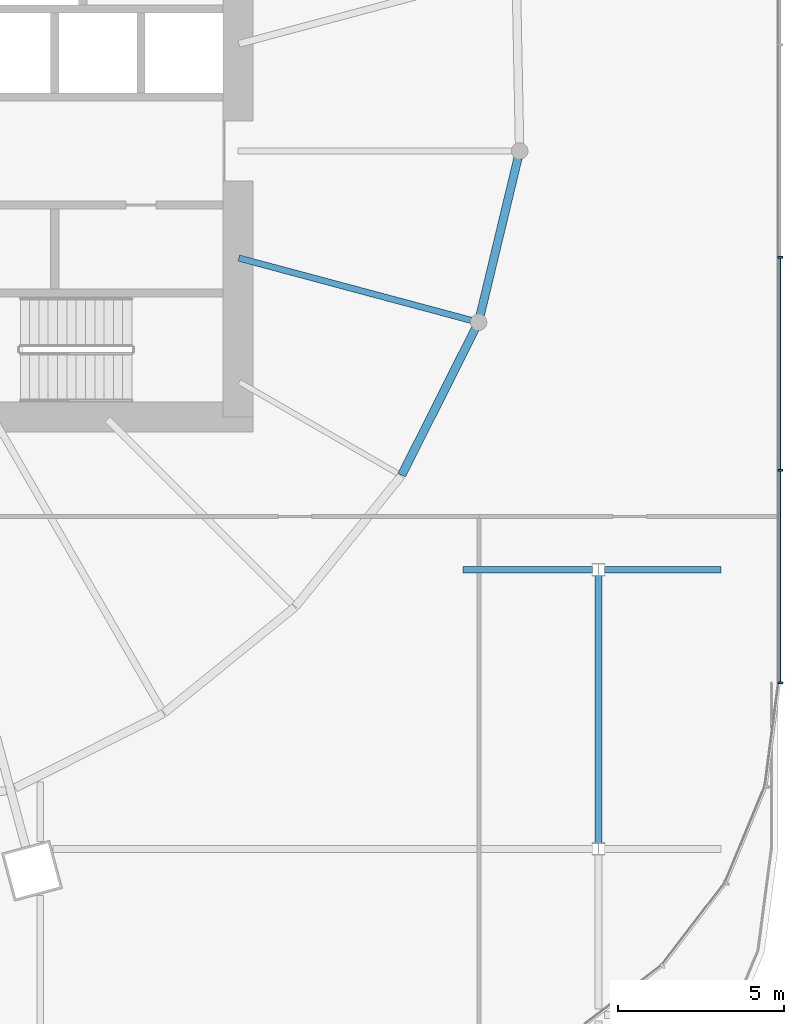
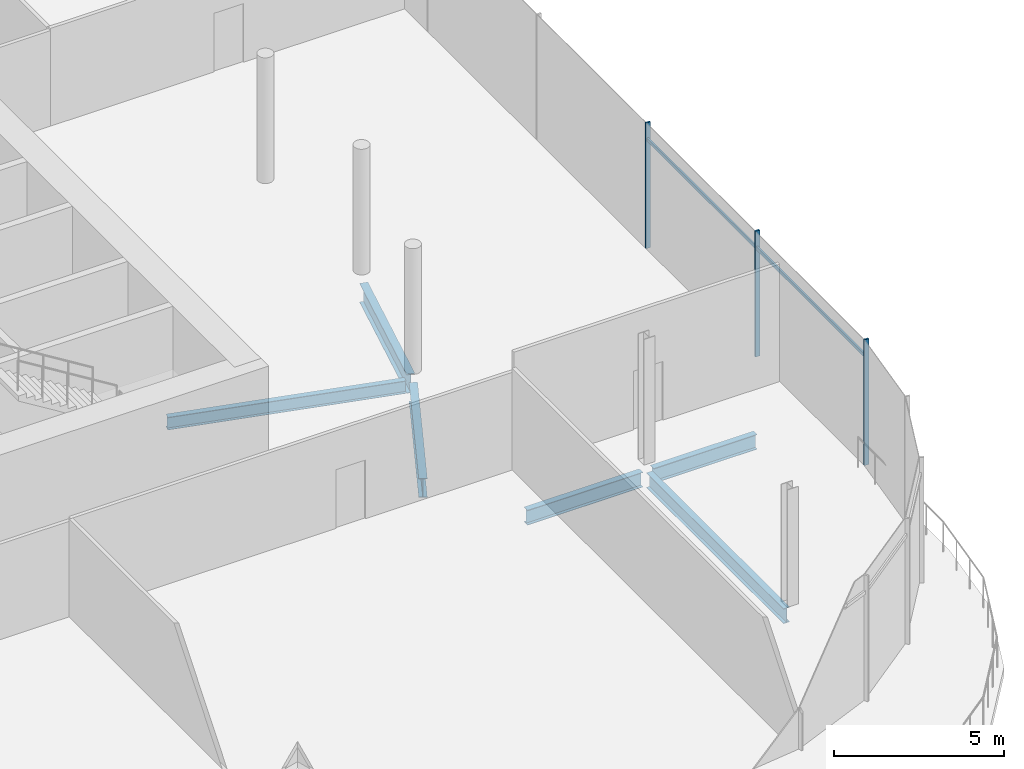
# One storey, part 25 of 52: 6 beams, 5 members, 1 element without a shape of its own.
"""IFC4 building model written with IfcOpenShell, lengths in metres."""

from ifc_helpers import new_model, si_unit, direction, frame, origin, origin_2d, place, context, subcontext, project, spatial, rectangle, i_section, extrude, material, material_profile, profile_set, type_object, element, aggregate, save


model = new_model("IFC4")

# Units and contexts
model_context = context("Model", 3, precision=1e-05, world=origin(), true_north=direction((0.0, 1.0)))
body_context = subcontext(model_context, "Body", "Model", "MODEL_VIEW")
ifc_project = project(units=[si_unit("LENGTHUNIT", "METRE"), si_unit("AREAUNIT", "SQUARE_METRE"), si_unit("VOLUMEUNIT", "CUBIC_METRE"), si_unit("PLANEANGLEUNIT", "RADIAN"), si_unit("MASSUNIT", "GRAM", prefix="KILO")], contexts=[model_context])

# Site, building, storey
site_placement = place(None, origin())
site = spatial("IfcSite", under=ifc_project, at=site_placement, CompositionType="ELEMENT")
building_placement = place(site_placement, origin())
building = spatial("IfcBuilding", under=site, at=building_placement, Name="Rimbun Link Towers", CompositionType="ELEMENT")
storey_placement = place(building_placement, frame((0.0, 0.0, 21.0)))
storey = spatial("IfcBuildingStorey", under=building, at=storey_placement, Name="L04", CompositionType="ELEMENT", Elevation=21.0)

# Curtain wall, members
ifc_material_1 = material(Name="Aluminium 6063-T6 and low-iron glass", Category="aluminium")
curtain_wall_type = type_object("IfcCurtainWallType", Name="CW3 podium shopfront", PredefinedType="NOTDEFINED", material=ifc_material_1)
curtain_wall_placement = place(storey_placement, origin())
curtain_wall = element("IfcCurtainWall", 1, at=curtain_wall_placement, inside=storey, type_object=curtain_wall_type, Name="CW3 L04 PD", PredefinedType="NOTDEFINED")
ifc_material_2 = material(Name="Aluminium 6063-T6", Category="aluminium")
ifc_material_profile_1 = material_profile(ifc_material_2, rectangle(XDim=0.14990234375, YDim=0.06005859375, at=origin_2d()), Name="MULLION 60X150")
ifc_profile_set_1 = profile_set([ifc_material_profile_1], Name="Aluminium 6063-T6")
member_type_1 = type_object("IfcMemberType", Name="CW3 mullion 60X150", PredefinedType="MULLION", material=ifc_profile_set_1)
member_1_placement = place(storey_placement, frame((60.074951171875, -16.0048828125, 0.0), z_axis=(0.0, 0.0, 1.0), x_axis=(0.997858781723, -0.065405288299, 0.0)))
member_1 = element("IfcMember", 2, at=member_1_placement, type_object=member_type_1, Name="CW3 mullion", PredefinedType="MULLION", context=body_context, shape_type="SweptSolid", body=[
    extrude(rectangle(XDim=0.14990234375, YDim=0.06005859375, at=origin_2d()), origin(), (0.0, 0.0, 1.0), 4.5),
])
member_2_placement = place(storey_placement, frame((60.074951171875, -9.60009765625, 0.0), z_axis=(0.0, 0.0, 1.0), x_axis=(1.0, 0.0, 0.0)))
member_2 = element("IfcMember", 3, at=member_2_placement, type_object=member_type_1, Name="CW3 mullion", PredefinedType="MULLION", context=body_context, shape_type="SweptSolid", body=[
    extrude(rectangle(XDim=0.14990234375, YDim=0.06005859375, at=origin_2d()), origin(), (0.0, 0.0, 1.0), 4.5),
])
member_3_placement = place(storey_placement, frame((60.074951171875, -3.199951171875, 0.0), z_axis=(0.0, 0.0, 1.0), x_axis=(1.0, 0.0, 0.0)))
member_3 = element("IfcMember", 4, at=member_3_placement, type_object=member_type_1, Name="CW3 mullion", PredefinedType="MULLION", context=body_context, shape_type="SweptSolid", body=[
    extrude(rectangle(XDim=0.14990234375, YDim=0.06005859375, at=origin_2d()), origin(), (0.0, 0.0, 1.0), 4.5),
])
ifc_material_3 = material(Name="Aluminium 6063-T6", Category="aluminium")
ifc_material_profile_2 = material_profile(ifc_material_3, rectangle(XDim=0.06005859375, YDim=0.1201171875, at=origin_2d()), Name="TRANSOM 60X120")
ifc_profile_set_2 = profile_set([ifc_material_profile_2], Name="Aluminium 6063-T6")
member_type_2 = type_object("IfcMemberType", Name="CW3 transom 60X120", PredefinedType="USERDEFINED", material=ifc_profile_set_2)
member_4_placement = place(storey_placement, frame((60.053955078125, -9.6298828125, 3.89990234375), z_axis=(0.0, -1.0, 0.0), x_axis=(1.0, 0.0, 0.0)))
member_4 = element("IfcMember", 5, at=member_4_placement, type_object=member_type_2, Name="CW3 transom", ObjectType="TRANSOM", PredefinedType="USERDEFINED", context=body_context, shape_type="SweptSolid", body=[
    extrude(rectangle(XDim=0.06005859375, YDim=0.1201171875, at=origin_2d()), origin(), (0.0, 0.0, 1.0), 6.340087890625),
])
member_5_placement = place(storey_placement, frame((60.053955078125, -3.22998046875, 3.89990234375), z_axis=(0.0, -1.0, 0.0), x_axis=(1.0, 0.0, 0.0)))
member_5 = element("IfcMember", 6, at=member_5_placement, type_object=member_type_2, Name="CW3 transom", ObjectType="TRANSOM", PredefinedType="USERDEFINED", context=body_context, shape_type="SweptSolid", body=[
    extrude(rectangle(XDim=0.06005859375, YDim=0.1201171875, at=origin_2d()), origin(), (0.0, 0.0, 1.0), 6.340087890625),
])
aggregate(curtain_wall, [member_1, member_2, member_3, member_4, member_5])

# Beams
ifc_material_4 = material(Name="Steel S355J2", Category="steel")
ifc_material_profile_3 = material_profile(ifc_material_4, i_section(OverallWidth=0.18994140625, OverallDepth=0.453369140625, WebThickness=0.008544921875, FlangeThickness=0.0126953125, at=origin_2d()), Name="UB 457x191x67")
ifc_profile_set_3 = profile_set([ifc_material_profile_3], Name="Steel S355J2")
beam_type_1 = type_object("IfcBeamType", Name="UB 457x191x67", PredefinedType="BEAM", material=ifc_profile_set_3)
beam_1_placement = place(storey_placement, frame((43.775390625, -3.22216796875, -0.526611328125), z_axis=(0.965928471546, -0.258809172667, 0.0), x_axis=(0.258809172667, 0.965928471546, 0.0)))
element("IfcBeam", 7, at=beam_1_placement, inside=storey, type_object=beam_type_1, Name="Radial beam T2 L04 20", PredefinedType="BEAM", context=body_context, shape_type="SweptSolid", body=[
    extrude(i_section(OverallWidth=0.18994140625, OverallDepth=0.453369140625, WebThickness=0.008544921875, FlangeThickness=0.0126953125, at=origin_2d()), origin(), (0.0, 0.0, 1.0), 7.2353515625),
])
ifc_material_5 = material(Name="Steel S355J2", Category="steel")
ifc_material_profile_4 = material_profile(ifc_material_5, i_section(OverallWidth=0.209228515625, OverallDepth=0.533203125, WebThickness=0.010009765625, FlangeThickness=0.015625, at=origin_2d()), Name="UB 533x210x92")
ifc_profile_set_4 = profile_set([ifc_material_profile_4], Name="Steel S355J2")
beam_type_2 = type_object("IfcBeamType", Name="UB 533x210x92", PredefinedType="BEAM", material=ifc_profile_set_4)
beam_2_placement = place(storey_placement, frame((50.5146484375, -12.60009765625, -0.56640625), z_axis=(1.0, 0.0, 0.0), x_axis=(0.0, 1.0, 0.0)))
element("IfcBeam", 8, at=beam_2_placement, inside=storey, type_object=beam_type_2, Name="Grid beam L04 -12.6", PredefinedType="BEAM", context=body_context, shape_type="SweptSolid", body=[
    extrude(i_section(OverallWidth=0.209228515625, OverallDepth=0.533203125, WebThickness=0.010009765625, FlangeThickness=0.015625, at=origin_2d()), origin(), (0.0, 0.0, 1.0), 3.900146484375),
])
beam_3_placement = place(storey_placement, frame((54.785400390625, -12.60009765625, -0.56640625), z_axis=(1.0, 0.0, 0.0), x_axis=(0.0, 1.0, 0.0)))
element("IfcBeam", 9, at=beam_3_placement, inside=storey, type_object=beam_type_2, Name="Grid beam L04 -12.6", PredefinedType="BEAM", context=body_context, shape_type="SweptSolid", body=[
    extrude(i_section(OverallWidth=0.209228515625, OverallDepth=0.533203125, WebThickness=0.010009765625, FlangeThickness=0.015625, at=origin_2d()), origin(), (0.0, 0.0, 1.0), 3.5),
])
beam_4_placement = place(storey_placement, frame((54.60009765625, -20.819091796875, -0.56640625), z_axis=(0.0, 1.0, 0.0), x_axis=(-1.0, 0.0, 0.0)))
element("IfcBeam", 10, at=beam_4_placement, inside=storey, type_object=beam_type_2, Name="Grid beam L04 +54.6", PredefinedType="BEAM", context=body_context, shape_type="SweptSolid", body=[
    extrude(i_section(OverallWidth=0.209228515625, OverallDepth=0.533203125, WebThickness=0.010009765625, FlangeThickness=0.015625, at=origin_2d()), origin(), (0.0, 0.0, 1.0), 8.0380859375),
])
ifc_material_6 = material(Name="Steel S355J2", Category="steel")
ifc_material_profile_5 = material_profile(ifc_material_6, i_section(OverallWidth=0.253662109375, OverallDepth=0.68359375, WebThickness=0.012451171875, FlangeThickness=0.01904296875, at=origin_2d()), Name="UB 686x254x140")
ifc_profile_set_5 = profile_set([ifc_material_profile_5], Name="Steel S355J2")
beam_type_3 = type_object("IfcBeamType", Name="UB 686x254x140", PredefinedType="BEAM", material=ifc_profile_set_5)
beam_5_placement = place(storey_placement, frame((48.67529296875, -9.7548828125, -0.641845703125), z_axis=(0.449213825597, 0.893424277089, 0.0), x_axis=(-0.893424277089, 0.449213825597, 0.0)))
element("IfcBeam", 11, at=beam_5_placement, inside=storey, type_object=beam_type_3, Name="Edge beam T2 L04 19", PredefinedType="BEAM", context=body_context, shape_type="SweptSolid", body=[
    extrude(i_section(OverallWidth=0.253662109375, OverallDepth=0.68359375, WebThickness=0.012451171875, FlangeThickness=0.01904296875, at=origin_2d()), origin(), (0.0, 0.0, 1.0), 4.92822265625),
])
beam_6_placement = place(storey_placement, frame((51.039794921875, -4.9404296875, -0.641845703125), z_axis=(0.23356672239, 0.972340776781, 0.0), x_axis=(-0.972340776781, 0.23356672239, 0.0)))
element("IfcBeam", 12, at=beam_6_placement, inside=storey, type_object=beam_type_3, Name="Edge beam T2 L04 20", PredefinedType="BEAM", context=body_context, shape_type="SweptSolid", body=[
    extrude(i_section(OverallWidth=0.253662109375, OverallDepth=0.68359375, WebThickness=0.012451171875, FlangeThickness=0.01904296875, at=origin_2d()), origin(), (0.0, 0.0, 1.0), 4.860595703125),
])

save(model, "model.ifc")
